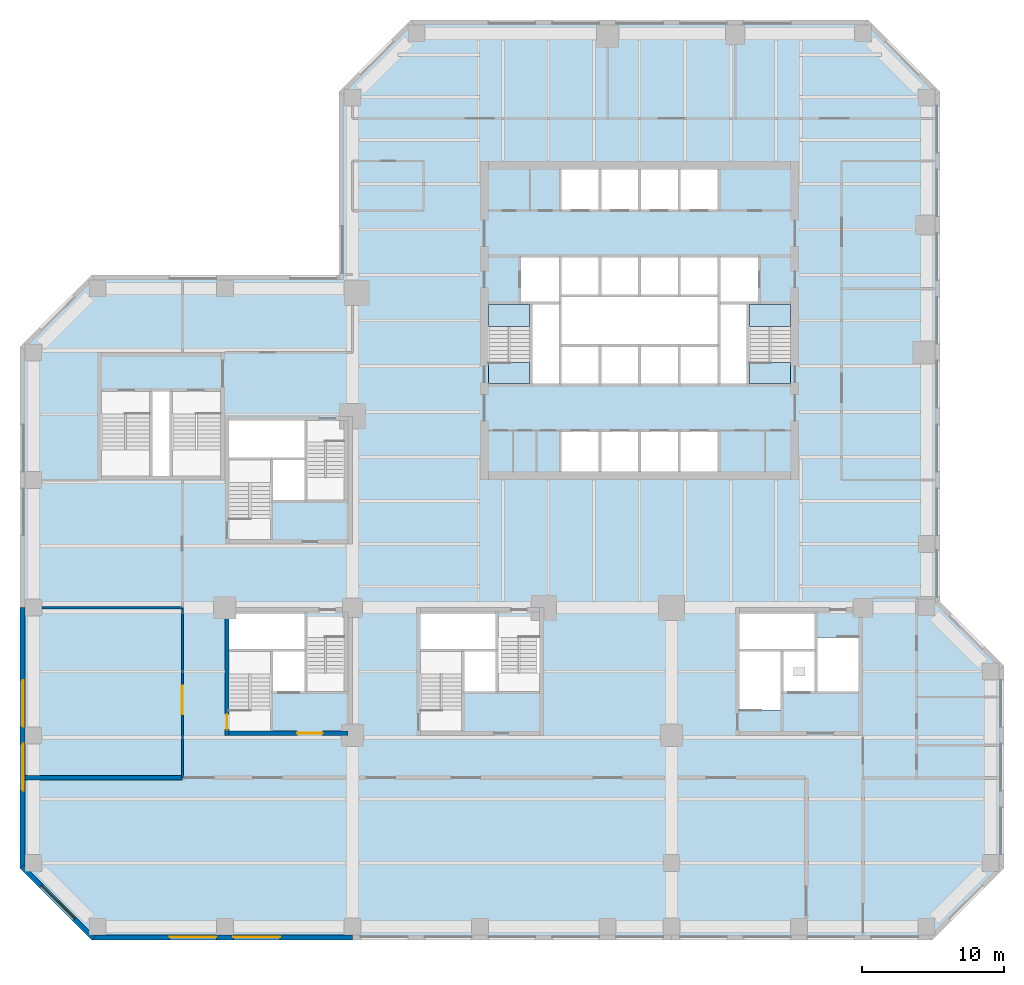
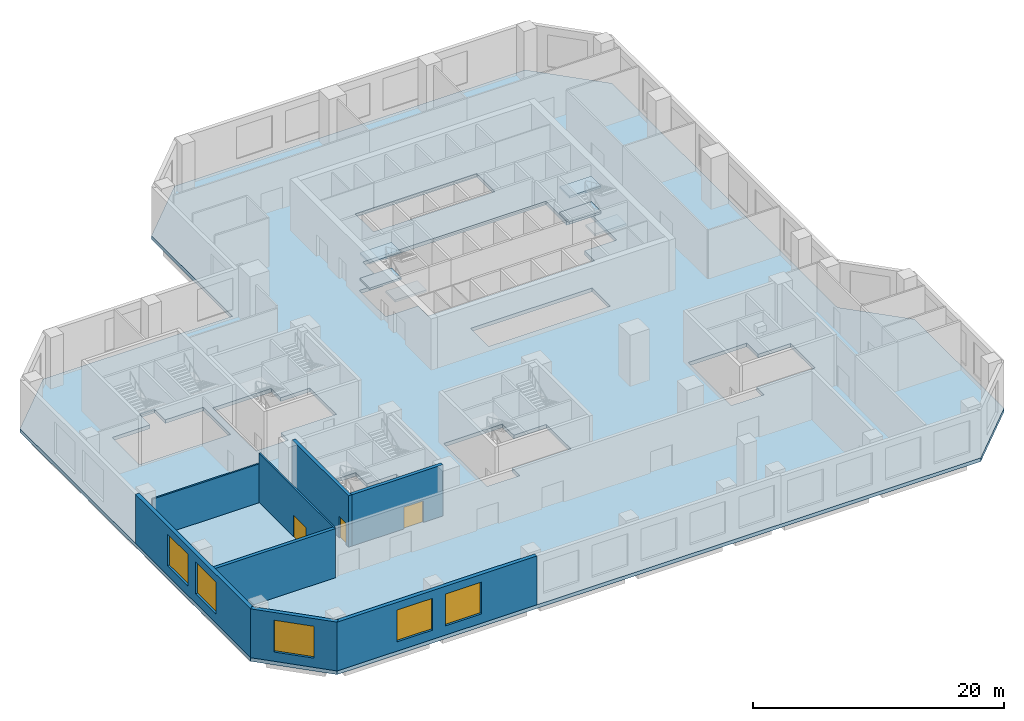
# One storey, part 3 of 12: 8 walls, 7 slabs, 5 windows, 3 doors, 8 openings, 2 elements without a shape of their own.
"""IFC4 building model written with IfcOpenShell, lengths in metres."""

from ifc_helpers import new_model, si_unit, direction, frame, frame_2d, origin, place, context, subcontext, project, spatial, polyline, rectangle, outline, extrude, material, layer, layer_set, constituent, constituent_set, type_object, element, fill, aggregate, save


model = new_model("IFC4")

# Units and contexts
model_context = context("Model", 3, precision=1e-05, world=origin(), true_north=direction((0.0, 1.0)))
body_context = subcontext(model_context, "Body", "Model", "MODEL_VIEW")
ifc_project = project(units=[si_unit("LENGTHUNIT", "METRE"), si_unit("AREAUNIT", "SQUARE_METRE"), si_unit("VOLUMEUNIT", "CUBIC_METRE"), si_unit("PLANEANGLEUNIT", "RADIAN"), si_unit("MASSUNIT", "GRAM", prefix="KILO")], contexts=[model_context])

# Site, building, storey
site_placement = place(None, origin())
site = spatial("IfcSite", under=ifc_project, at=site_placement, CompositionType="ELEMENT")
building_placement = place(site_placement, origin())
building = spatial("IfcBuilding", under=site, at=building_placement, Name="Quoin Convention Tower", CompositionType="ELEMENT")
storey_placement = place(building_placement, frame((0.0, 0.0, 13.5)))
storey = spatial("IfcBuildingStorey", under=building, at=storey_placement, Name="L02", CompositionType="ELEMENT", Elevation=13.5)

# Slab
ifc_material_1 = material(Name="Concrete C65", Category="concrete")
ifc_layer_1 = layer(ifc_material_1, 0.35009765625)
ifc_layer_set_1 = layer_set([ifc_layer_1], Name="Concrete C65")
slab_type_1 = type_object("IfcSlabType", Name="RC SLAB 350 C65", PredefinedType="FLOOR", material=ifc_layer_set_1)
slab_1_placement = place(storey_placement, frame((0.0, 0.0, -0.35009765625)))
element("IfcSlab", 1, at=slab_1_placement, inside=storey, type_object=slab_type_1, Name="slb-L02", PredefinedType="FLOOR", context=body_context, shape_type="SweptSolid", body=[
    extrude(outline(polyline([(12.550048828125, 58.8935546875), (17.6064453125, 63.949951171875), (35.050048828125, 63.949951171875), (35.050048828125, 76.8935546875), (40.1064453125, 81.949951171875), (72.3935546875, 81.949951171875), (77.449951171875, 76.8935546875), (77.449951171875, 40.8935546875), (81.949951171875, 36.3935546875), (81.949951171875, 22.1064453125), (76.8935546875, 17.050048828125), (17.6064453125, 17.050048828125), (12.550048828125, 22.1064453125), (12.550048828125, 58.8935546875)]), holes=[polyline([(35.39990234375, 34.5), (35.39990234375, 38.3994140625), (32.699951171875, 38.3994140625), (32.699951171875, 40.199951171875), (27.300048828125, 40.199951171875), (27.300048828125, 37.5), (27.300048828125, 33.300537109375), (30.300048828125, 33.300537109375), (30.300048828125, 34.5), (32.699951171875, 34.5), (35.39990234375, 34.5)]), polyline([(43.800048828125, 34.5), (46.199951171875, 34.5), (49.199951171875, 34.5), (49.199951171875, 38.3994140625), (46.199951171875, 38.3994140625), (46.199951171875, 40.199951171875), (40.800048828125, 40.199951171875), (40.800048828125, 37.5), (40.800048828125, 33.300537109375), (43.800048828125, 33.300537109375), (43.800048828125, 34.5)]), polyline([(35.39990234375, 52.199462890625), (32.699951171875, 52.199462890625), (32.699951171875, 53.699951171875), (27.300048828125, 53.699951171875), (27.300048828125, 51.0), (27.300048828125, 46.800537109375), (30.300048828125, 46.800537109375), (30.300048828125, 48.0), (32.699951171875, 48.0), (35.39990234375, 48.0), (35.39990234375, 52.199462890625)]), polyline([(21.800048828125, 55.85009765625), (21.800048828125, 54.1494140625), (18.300048828125, 54.1494140625), (18.300048828125, 49.800048828125), (21.800048828125, 49.800048828125), (23.199951171875, 49.800048828125), (26.699951171875, 49.800048828125), (26.699951171875, 54.1494140625), (23.199951171875, 54.1494140625), (23.199951171875, 55.85009765625), (21.800048828125, 55.85009765625)]), polyline([(56.25, 50.10009765625), (59.050048828125, 50.10009765625), (61.85009765625, 50.10009765625), (61.85009765625, 53.0), (59.050048828125, 53.0), (56.25, 53.0), (53.449951171875, 53.0), (50.64990234375, 53.0), (50.64990234375, 50.10009765625), (53.449951171875, 50.10009765625), (56.25, 50.10009765625)]), polyline([(56.25, 56.199951171875), (59.050048828125, 56.199951171875), (61.85009765625, 56.199951171875), (63.89990234375, 56.199951171875), (63.89990234375, 57.800537109375), (66.89990234375, 57.800537109375), (66.89990234375, 62.0), (64.699951171875, 62.0), (64.699951171875, 65.300048828125), (61.85009765625, 65.300048828125), (59.050048828125, 65.300048828125), (56.25, 65.300048828125), (53.449951171875, 65.300048828125), (50.64990234375, 65.300048828125), (47.800048828125, 65.300048828125), (47.800048828125, 62.0), (45.60009765625, 62.0), (45.60009765625, 57.800537109375), (48.60009765625, 57.800537109375), (48.60009765625, 56.199951171875), (50.64990234375, 56.199951171875), (53.449951171875, 56.199951171875), (56.25, 56.199951171875)]), polyline([(50.64990234375, 71.39990234375), (50.64990234375, 68.5), (53.449951171875, 68.5), (56.25, 68.5), (59.050048828125, 68.5), (61.85009765625, 68.5), (61.85009765625, 71.39990234375), (59.050048828125, 71.39990234375), (56.25, 71.39990234375), (53.449951171875, 71.39990234375), (50.64990234375, 71.39990234375)]), polyline([(71.699951171875, 38.3994140625), (68.699951171875, 38.3994140625), (68.699951171875, 40.199951171875), (63.300048828125, 40.199951171875), (63.300048828125, 37.5), (63.300048828125, 33.300537109375), (66.300048828125, 33.300537109375), (66.300048828125, 34.5), (68.699951171875, 34.5), (71.699951171875, 34.5), (71.699951171875, 38.3994140625)])]), origin(), (0.0, 0.0, 1.0), 0.35009765625),
])

# Stair, slabs
ifc_material_2 = material(Name="Concrete C40", Category="concrete")
stair_type = type_object("IfcStairType", Name="Exit stair four-flight 1350", PredefinedType="DOUBLE_RETURN_STAIR", material=ifc_material_2)
stair_1_placement = place(storey_placement, origin())
stair_1 = element("IfcStair", 2, at=stair_1_placement, inside=storey, type_object=stair_type, Name="SD1 L02", PredefinedType="DOUBLE_RETURN_STAIR")
ifc_layer_2 = layer(ifc_material_2, 0.199951171875)
ifc_layer_set_2 = layer_set([ifc_layer_2], Name="Concrete C40")
slab_type_2 = type_object("IfcSlabType", Name="Stair landing 200", PredefinedType="LANDING", material=ifc_layer_set_2)
slab_2_placement = place(storey_placement, frame((0.0, 0.0, 1.050048828125)))
slab_2 = element("IfcSlab", 3, at=slab_2_placement, type_object=slab_type_2, Name="ST1 landing 1", PredefinedType="LANDING", context=body_context, shape_type="SweptSolid", body=[
    extrude(outline(polyline([(45.60009765625, 60.320068359375), (48.5, 60.320068359375), (48.5, 61.89990234375), (45.60009765625, 61.89990234375), (45.60009765625, 60.320068359375)])), origin(), (0.0, 0.0, 1.0), 0.199951171875),
])
slab_3_placement = place(storey_placement, frame((0.0, 0.0, 2.300048828125)))
slab_3 = element("IfcSlab", 4, at=slab_3_placement, type_object=slab_type_2, Name="ST1 landing 2", PredefinedType="LANDING", context=body_context, shape_type="SweptSolid", body=[
    extrude(outline(polyline([(45.60009765625, 56.300048828125), (48.5, 56.300048828125), (48.5, 57.800048828125), (45.60009765625, 57.800048828125), (45.60009765625, 56.300048828125)])), origin(), (0.0, 0.0, 1.0), 0.199951171875),
])
slab_4_placement = place(storey_placement, frame((0.0, 0.0, 3.550048828125)))
slab_4 = element("IfcSlab", 5, at=slab_4_placement, type_object=slab_type_2, Name="ST1 landing 3", PredefinedType="LANDING", context=body_context, shape_type="SweptSolid", body=[
    extrude(outline(polyline([(45.60009765625, 60.320068359375), (48.5, 60.320068359375), (48.5, 61.89990234375), (45.60009765625, 61.89990234375), (45.60009765625, 60.320068359375)])), origin(), (0.0, 0.0, 1.0), 0.199951171875),
])
aggregate(stair_1, [slab_2, slab_3, slab_4])

stair_2_placement = place(storey_placement, origin())
stair_2 = element("IfcStair", 6, at=stair_2_placement, inside=storey, type_object=stair_type, Name="SD2 L02", PredefinedType="DOUBLE_RETURN_STAIR")
slab_5_placement = place(storey_placement, frame((0.0, 0.0, 1.050048828125)))
slab_5 = element("IfcSlab", 7, at=slab_5_placement, type_object=slab_type_2, Name="ST2 landing 1", PredefinedType="LANDING", context=body_context, shape_type="SweptSolid", body=[
    extrude(outline(polyline([(64.0, 60.320068359375), (66.89990234375, 60.320068359375), (66.89990234375, 61.89990234375), (64.0, 61.89990234375), (64.0, 60.320068359375)])), origin(), (0.0, 0.0, 1.0), 0.199951171875),
])
slab_6_placement = place(storey_placement, frame((0.0, 0.0, 2.300048828125)))
slab_6 = element("IfcSlab", 8, at=slab_6_placement, type_object=slab_type_2, Name="ST2 landing 2", PredefinedType="LANDING", context=body_context, shape_type="SweptSolid", body=[
    extrude(outline(polyline([(64.0, 56.300048828125), (66.89990234375, 56.300048828125), (66.89990234375, 57.800048828125), (64.0, 57.800048828125), (64.0, 56.300048828125)])), origin(), (0.0, 0.0, 1.0), 0.199951171875),
])
slab_7_placement = place(storey_placement, frame((0.0, 0.0, 3.550048828125)))
slab_7 = element("IfcSlab", 9, at=slab_7_placement, type_object=slab_type_2, Name="ST2 landing 3", PredefinedType="LANDING", context=body_context, shape_type="SweptSolid", body=[
    extrude(outline(polyline([(64.0, 60.320068359375), (66.89990234375, 60.320068359375), (66.89990234375, 61.89990234375), (64.0, 61.89990234375), (64.0, 60.320068359375)])), origin(), (0.0, 0.0, 1.0), 0.199951171875),
])
aggregate(stair_2, [slab_5, slab_6, slab_7])

# Wall
ifc_material_3 = material(Name="Plasterboard")
ifc_layer_3 = layer(ifc_material_3, 0.012451171875, Name="Finish")
ifc_material_4 = material(Name="Steel stud framing", Category="steel")
ifc_layer_4 = layer(ifc_material_4, 0.27490234375, Name="Structure")
ifc_layer_5 = layer(ifc_material_3, 0.012451171875, Name="Finish")
ifc_layer_set_3 = layer_set([ifc_layer_3, ifc_layer_4, ifc_layer_5], Name="Steel stud framing")
wall_type_1 = type_object("IfcWallType", Name="Acoustic wall 300", PredefinedType="PARTITIONING", material=ifc_layer_set_3)
wall_1_placement = place(storey_placement, frame((12.89990234375, 28.5, 0.0), z_axis=(0.0, 0.0, 1.0), x_axis=(1.0, 0.0, 0.0)))
element("IfcWall", 10, at=wall_1_placement, inside=storey, type_object=wall_type_1, Name="pw-L02-003", PredefinedType="PARTITIONING", context=body_context, shape_type="SweptSolid", body=[
    extrude(rectangle(XDim=11.10009765625, YDim=0.300048828125, at=frame_2d((5.550048828125, 0.0))), origin(), (0.0, 0.0, 1.0), 4.780029296875),
])

# Wall, opening, window
ifc_material_5 = material(Name="Brick masonry", Category="masonry")
ifc_layer_6 = layer(ifc_material_5, 0.35009765625)
ifc_layer_set_4 = layer_set([ifc_layer_6], Name="Brick masonry")
wall_type_2 = type_object("IfcWallType", Name="Brick facade wall", PredefinedType="STANDARD", material=ifc_layer_set_4)
wall_2_placement = place(storey_placement, frame((12.673583984375, 22.230224609375, 0.0), z_axis=(0.0, 0.0, 1.0), x_axis=(0.707106781187, -0.707106781187, 0.0)))
wall_2 = element("IfcWall", 11, at=wall_2_placement, inside=storey, type_object=wall_type_2, Name="fw-L02-13500_22500", PredefinedType="STANDARD", context=body_context, shape_type="SweptSolid", body=[
    extrude(rectangle(XDim=7.151123046875, YDim=0.35009765625, at=frame_2d((3.57568359375, 0.0))), origin(), (0.0, 0.0, 1.0), 4.7548828125),
])
opening_1_placement = place(wall_2_placement, frame((1.925537109375, 0.0, 0.89990234375)))
opening_1 = element("IfcOpeningElement", 12, at=opening_1_placement, cuts=wall_2, Name="Opening W-05", PredefinedType="OPENING", context=body_context, shape_type="SweptSolid", body=[
    extrude(rectangle(XDim=3.300048828125, YDim=3.10009765625, at=frame_2d((1.64990234375, 1.550048828125))), frame((0.0, 0.18505859375, 0.0), z_axis=(0.0, -1.0, 0.0), x_axis=(1.0, 0.0, 0.0)), (0.0, 0.0, 1.0), 0.3701171875),
])
ifc_material_6 = material(Name="Aluminium", Category="aluminium")
ifc_constituent_1 = constituent(ifc_material_6, Name="Frame")
ifc_material_7 = material(Name="Insulated glass", Category="glass")
ifc_constituent_2 = constituent(ifc_material_7, Name="Glazing")
ifc_constituent_set = constituent_set(constituents=[ifc_constituent_1, ifc_constituent_2], Name="Aluminium")
window_type = type_object("IfcWindowType", Name="Convention window L02", PartitioningType="TRIPLE_PANEL_VERTICAL", PredefinedType="WINDOW", material=ifc_constituent_set)
window_1_placement = place(opening_1_placement, origin())
window_1 = element("IfcWindow", 13, at=window_1_placement, inside=storey, type_object=window_type, Name="win-L02-15202_19702", OverallHeight=3.10009765625, OverallWidth=3.300048828125, PartitioningType="SINGLE_PANEL", PredefinedType="WINDOW", context=body_context, shape_type="SweptSolid", body=[
    extrude(rectangle(XDim=3.300048828125, YDim=3.10009765625, at=frame_2d((1.64990234375, 1.550048828125))), frame((0.0, 0.0849609375, 0.0), z_axis=(0.0, -1.0, 0.0), x_axis=(1.0, 0.0, 0.0)), (0.0, 0.0, 1.0), 0.06005859375),
])
fill(opening_1, window_1)

# Wall, openings, windows
wall_3_placement = place(storey_placement, frame((17.6064453125, 17.22509765625, 0.0), z_axis=(0.0, 0.0, 1.0), x_axis=(1.0, 0.0, 0.0)))
wall_3 = element("IfcWall", 14, at=wall_3_placement, inside=storey, type_object=wall_type_2, Name="fw-L02-18000_18000", PredefinedType="STANDARD", context=body_context, shape_type="SweptSolid", body=[
    extrude(rectangle(XDim=18.3935546875, YDim=0.35009765625, at=frame_2d((9.19677734375, 0.0))), origin(), (0.0, 0.0, 1.0), 4.7548828125),
])
opening_2_placement = place(wall_3_placement, frame((5.493408203125, 0.0, 0.89990234375)))
opening_2 = element("IfcOpeningElement", 15, at=opening_2_placement, cuts=wall_3, Name="Opening W-05", PredefinedType="OPENING", context=body_context, shape_type="SweptSolid", body=[
    extrude(rectangle(XDim=3.300048828125, YDim=3.10009765625, at=frame_2d((1.64990234375, 1.550048828125))), frame((0.0, 0.18505859375, 0.0), z_axis=(0.0, -1.0, 0.0), x_axis=(1.0, 0.0, 0.0)), (0.0, 0.0, 1.0), 0.3701171875),
])
opening_3_placement = place(wall_3_placement, frame((9.993408203125, 0.0, 0.89990234375)))
opening_3 = element("IfcOpeningElement", 16, at=opening_3_placement, cuts=wall_3, Name="Opening W-05", PredefinedType="OPENING", context=body_context, shape_type="SweptSolid", body=[
    extrude(rectangle(XDim=3.300048828125, YDim=3.10009765625, at=frame_2d((1.64990234375, 1.550048828125))), frame((0.0, 0.18505859375, 0.0), z_axis=(0.0, -1.0, 0.0), x_axis=(1.0, 0.0, 0.0)), (0.0, 0.0, 1.0), 0.3701171875),
])
window_2_placement = place(opening_2_placement, origin())
window_2 = element("IfcWindow", 17, at=window_2_placement, inside=storey, type_object=window_type, Name="win-L02-24750_17225", OverallHeight=3.10009765625, OverallWidth=3.300048828125, PartitioningType="SINGLE_PANEL", PredefinedType="WINDOW", context=body_context, shape_type="SweptSolid", body=[
    extrude(rectangle(XDim=3.300048828125, YDim=3.10009765625, at=frame_2d((1.64990234375, 1.550048828125))), frame((0.0, 0.0849609375, 0.0), z_axis=(0.0, -1.0, 0.0), x_axis=(1.0, 0.0, 0.0)), (0.0, 0.0, 1.0), 0.06005859375),
])
fill(opening_2, window_2)
window_3_placement = place(opening_3_placement, origin())
window_3 = element("IfcWindow", 18, at=window_3_placement, inside=storey, type_object=window_type, Name="win-L02-29250_17225", OverallHeight=3.10009765625, OverallWidth=3.300048828125, PartitioningType="SINGLE_PANEL", PredefinedType="WINDOW", context=body_context, shape_type="SweptSolid", body=[
    extrude(rectangle(XDim=3.300048828125, YDim=3.10009765625, at=frame_2d((1.64990234375, 1.550048828125))), frame((0.0, 0.0849609375, 0.0), z_axis=(0.0, -1.0, 0.0), x_axis=(1.0, 0.0, 0.0)), (0.0, 0.0, 1.0), 0.06005859375),
])
fill(opening_3, window_3)

wall_4_placement = place(storey_placement, frame((12.72509765625, 40.5, 0.0), z_axis=(0.0, 0.0, 1.0), x_axis=(0.0, -1.0, 0.0)))
wall_4 = element("IfcWall", 19, at=wall_4_placement, inside=storey, type_object=wall_type_2, Name="fw-L02-13500_40500", PredefinedType="STANDARD", context=body_context, shape_type="SweptSolid", body=[
    extrude(rectangle(XDim=18.3935546875, YDim=0.35009765625, at=frame_2d((9.19677734375, 0.0))), origin(), (0.0, 0.0, 1.0), 4.7548828125),
])
opening_4_placement = place(wall_4_placement, frame((5.10009765625, 0.0, 0.89990234375)))
opening_4 = element("IfcOpeningElement", 20, at=opening_4_placement, cuts=wall_4, Name="Opening W-05", PredefinedType="OPENING", context=body_context, shape_type="SweptSolid", body=[
    extrude(rectangle(XDim=3.300048828125, YDim=3.10009765625, at=frame_2d((1.64990234375, 1.550048828125))), frame((0.0, 0.18505859375, 0.0), z_axis=(0.0, -1.0, 0.0), x_axis=(1.0, 0.0, 0.0)), (0.0, 0.0, 1.0), 0.3701171875),
])
opening_5_placement = place(wall_4_placement, frame((9.60009765625, 0.0, 0.89990234375)))
opening_5 = element("IfcOpeningElement", 21, at=opening_5_placement, cuts=wall_4, Name="Opening W-05", PredefinedType="OPENING", context=body_context, shape_type="SweptSolid", body=[
    extrude(rectangle(XDim=3.300048828125, YDim=3.10009765625, at=frame_2d((1.64990234375, 1.550048828125))), frame((0.0, 0.18505859375, 0.0), z_axis=(0.0, -1.0, 0.0), x_axis=(1.0, 0.0, 0.0)), (0.0, 0.0, 1.0), 0.3701171875),
])
window_4_placement = place(opening_4_placement, origin())
window_4 = element("IfcWindow", 22, at=window_4_placement, inside=storey, type_object=window_type, Name="win-L02-12725_33750", OverallHeight=3.10009765625, OverallWidth=3.300048828125, PartitioningType="SINGLE_PANEL", PredefinedType="WINDOW", context=body_context, shape_type="SweptSolid", body=[
    extrude(rectangle(XDim=3.300048828125, YDim=3.10009765625, at=frame_2d((1.64990234375, 1.550048828125))), frame((0.0, 0.0849609375, 0.0), z_axis=(0.0, -1.0, 0.0), x_axis=(1.0, 0.0, 0.0)), (0.0, 0.0, 1.0), 0.06005859375),
])
fill(opening_4, window_4)
window_5_placement = place(opening_5_placement, origin())
window_5 = element("IfcWindow", 23, at=window_5_placement, inside=storey, type_object=window_type, Name="win-L02-12725_29250", OverallHeight=3.10009765625, OverallWidth=3.300048828125, PartitioningType="SINGLE_PANEL", PredefinedType="WINDOW", context=body_context, shape_type="SweptSolid", body=[
    extrude(rectangle(XDim=3.300048828125, YDim=3.10009765625, at=frame_2d((1.64990234375, 1.550048828125))), frame((0.0, 0.0849609375, 0.0), z_axis=(0.0, -1.0, 0.0), x_axis=(1.0, 0.0, 0.0)), (0.0, 0.0, 1.0), 0.06005859375),
])
fill(opening_5, window_5)

# Wall, opening, door
ifc_layer_7 = layer(ifc_material_3, 0.012451171875, Name="Finish")
ifc_layer_8 = layer(ifc_material_4, 0.125, Name="Structure")
ifc_layer_9 = layer(ifc_material_3, 0.012451171875, Name="Finish")
ifc_layer_set_5 = layer_set([ifc_layer_7, ifc_layer_8, ifc_layer_9], Name="Steel stud framing")
wall_type_3 = type_object("IfcWallType", Name="Partition wall 150", PredefinedType="PARTITIONING", material=ifc_layer_set_5)
wall_5_placement = place(storey_placement, frame((24.0, 28.5, 0.0), z_axis=(0.0, 0.0, 1.0), x_axis=(0.0, 1.0, 0.0)))
wall_5 = element("IfcWall", 24, at=wall_5_placement, inside=storey, type_object=wall_type_3, Name="pw-L02-005", PredefinedType="PARTITIONING", context=body_context, shape_type="SweptSolid", body=[
    extrude(rectangle(XDim=12.0, YDim=0.14990234375, at=frame_2d((6.0, 0.0))), origin(), (0.0, 0.0, 1.0), 4.780029296875),
])
opening_6_placement = place(wall_5_placement, frame((4.5, 0.0, 0.0)))
opening_6 = element("IfcOpeningElement", 25, at=opening_6_placement, cuts=wall_5, Name="Opening DPD2-09", PredefinedType="OPENING", context=body_context, shape_type="SweptSolid", body=[
    extrude(rectangle(XDim=2.0, YDim=2.10009765625, at=frame_2d((1.0, 1.050048828125))), frame((0.0, 0.0849609375, 0.0), z_axis=(0.0, -1.0, 0.0), x_axis=(1.0, 0.0, 0.0)), (0.0, 0.0, 1.0), 0.169921875),
])
ifc_material_8 = material(Name="Steel door leaf", Category="steel")
door_type_1 = type_object("IfcDoorType", Name="Double leaf door 2000", OperationType="DOUBLE_DOOR_SINGLE_SWING", PredefinedType="DOOR", material=ifc_material_8)
door_1_placement = place(opening_6_placement, origin())
door_1 = element("IfcDoor", 26, at=door_1_placement, inside=storey, type_object=door_type_1, Name="dr-L02-013", OperationType="DOUBLE_DOOR_SINGLE_SWING", OverallHeight=2.10009765625, OverallWidth=2.0, PredefinedType="DOOR", context=body_context, shape_type="SweptSolid", body=[
    extrude(rectangle(XDim=2.0, YDim=2.10009765625, at=frame_2d((1.0, 1.050048828125))), frame((0.0, 0.02490234375, 0.0), z_axis=(0.0, -1.0, 0.0), x_axis=(1.0, 0.0, 0.0)), (0.0, 0.0, 1.0), 0.050048828125),
])
fill(opening_6, door_1)

# Wall
ifc_layer_10 = layer(ifc_material_3, 0.012451171875, Name="Finish")
ifc_layer_11 = layer(ifc_material_4, 0.125, Name="Structure")
ifc_layer_12 = layer(ifc_material_3, 0.012451171875, Name="Finish")
ifc_layer_set_6 = layer_set([ifc_layer_10, ifc_layer_11, ifc_layer_12], Name="Steel stud framing")
wall_type_4 = type_object("IfcWallType", Name="Partition wall 150 under beam 1000", PredefinedType="PARTITIONING", material=ifc_layer_set_6)
wall_6_placement = place(storey_placement, frame((14.10009765625, 40.5, 0.0), z_axis=(0.0, 0.0, 1.0), x_axis=(1.0, 0.0, 0.0)))
element("IfcWall", 27, at=wall_6_placement, inside=storey, type_object=wall_type_4, Name="pw-L02-014", PredefinedType="PARTITIONING", context=body_context, shape_type="SweptSolid", body=[
    extrude(rectangle(XDim=9.89990234375, YDim=0.14990234375, at=frame_2d((4.949951171875, 0.0))), origin(), (0.0, 0.0, 1.0), 3.780029296875),
])

# Wall, opening, door
ifc_material_9 = material(Name="Concrete C100 (100 MPa)", Category="concrete")
ifc_layer_13 = layer(ifc_material_9, 0.300048828125)
ifc_layer_set_7 = layer_set([ifc_layer_13], Name="Concrete C100 (100 MPa)")
wall_type_5 = type_object("IfcWallType", Name="RC CORE WALL 300 C100", PredefinedType="SHEAR", material=ifc_layer_set_7)
wall_7_placement = place(storey_placement, frame((27.300048828125, 31.64990234375, 0.0), z_axis=(0.0, 0.0, 1.0), x_axis=(1.0, 0.0, 0.0)))
wall_7 = element("IfcWall", 28, at=wall_7_placement, inside=storey, type_object=wall_type_5, Name="cwl-P4-L02-S", PredefinedType="SHEAR", context=body_context, shape_type="SweptSolid", body=[
    extrude(rectangle(XDim=8.39990234375, YDim=0.300048828125, at=frame_2d((4.199951171875, 0.0))), origin(), (0.0, 0.0, 1.0), 5.0),
])
opening_7_placement = place(wall_7_placement, frame((4.800048828125, 0.0, 0.0)))
opening_7 = element("IfcOpeningElement", 29, at=opening_7_placement, cuts=wall_7, Name="Opening DCV1-52", PredefinedType="OPENING", context=body_context, shape_type="SweptSolid", body=[
    extrude(rectangle(XDim=1.800048828125, YDim=2.10009765625, at=frame_2d((0.89990234375, 1.050048828125))), frame((0.0, 0.159912109375, 0.0), z_axis=(0.0, -1.0, 0.0), x_axis=(1.0, 0.0, 0.0)), (0.0, 0.0, 1.0), 0.320068359375),
])
door_type_2 = type_object("IfcDoorType", Name="Goods lobby door 1800 x 2100", OperationType="SINGLE_SWING_LEFT", PredefinedType="DOOR", material=ifc_material_8)
door_2_placement = place(opening_7_placement, origin())
door_2 = element("IfcDoor", 30, at=door_2_placement, inside=storey, type_object=door_type_2, Name="cd-P4-L02-R2-S", OperationType="SINGLE_SWING_LEFT", OverallHeight=2.10009765625, OverallWidth=1.800048828125, PredefinedType="DOOR", context=body_context, shape_type="SweptSolid", body=[
    extrude(rectangle(XDim=1.800048828125, YDim=2.10009765625, at=frame_2d((0.89990234375, 1.050048828125))), frame((0.0, 0.02490234375, 0.0), z_axis=(0.0, -1.0, 0.0), x_axis=(1.0, 0.0, 0.0)), (0.0, 0.0, 1.0), 0.050048828125),
])
fill(opening_7, door_2)

wall_8_placement = place(storey_placement, frame((27.14990234375, 31.5, 0.0), z_axis=(0.0, 0.0, 1.0), x_axis=(0.0, 1.0, 0.0)))
wall_8 = element("IfcWall", 31, at=wall_8_placement, inside=storey, type_object=wall_type_5, Name="cwl-P4-L02-W", PredefinedType="SHEAR", context=body_context, shape_type="SweptSolid", body=[
    extrude(rectangle(XDim=9.0, YDim=0.300048828125, at=frame_2d((4.5, 0.0))), origin(), (0.0, 0.0, 1.0), 5.0),
])
opening_8_placement = place(wall_8_placement, frame((0.39990234375, 0.0, 0.0)))
opening_8 = element("IfcOpeningElement", 32, at=opening_8_placement, cuts=wall_8, Name="Opening SD7", PredefinedType="OPENING", context=body_context, shape_type="SweptSolid", body=[
    extrude(rectangle(XDim=1.10009765625, YDim=2.10009765625, at=frame_2d((0.550048828125, 1.050048828125))), frame((0.0, 0.159912109375, 0.0), z_axis=(0.0, -1.0, 0.0), x_axis=(1.0, 0.0, 0.0)), (0.0, 0.0, 1.0), 0.320068359375),
])
door_type_3 = type_object("IfcDoorType", Name="Stair door 1100 x 2100", OperationType="SINGLE_SWING_RIGHT", PredefinedType="DOOR", material=ifc_material_8)
door_3_placement = place(opening_8_placement, frame((1.10009765625, 0.0, 0.0), z_axis=(0.0, 0.0, 1.0), x_axis=(-1.0, 0.0, 0.0)))
door_3 = element("IfcDoor", 33, at=door_3_placement, inside=storey, type_object=door_type_3, Name="cd-P4-L02-SA-W", OperationType="SINGLE_SWING_RIGHT", OverallHeight=2.10009765625, OverallWidth=1.10009765625, PredefinedType="DOOR", context=body_context, shape_type="SweptSolid", body=[
    extrude(rectangle(XDim=1.10009765625, YDim=2.10009765625, at=frame_2d((0.550048828125, 1.050048828125))), frame((0.0, 0.02490234375, 0.0), z_axis=(0.0, -1.0, 0.0), x_axis=(1.0, 0.0, 0.0)), (0.0, 0.0, 1.0), 0.050048828125),
])
fill(opening_8, door_3)

save(model, "model.ifc")
